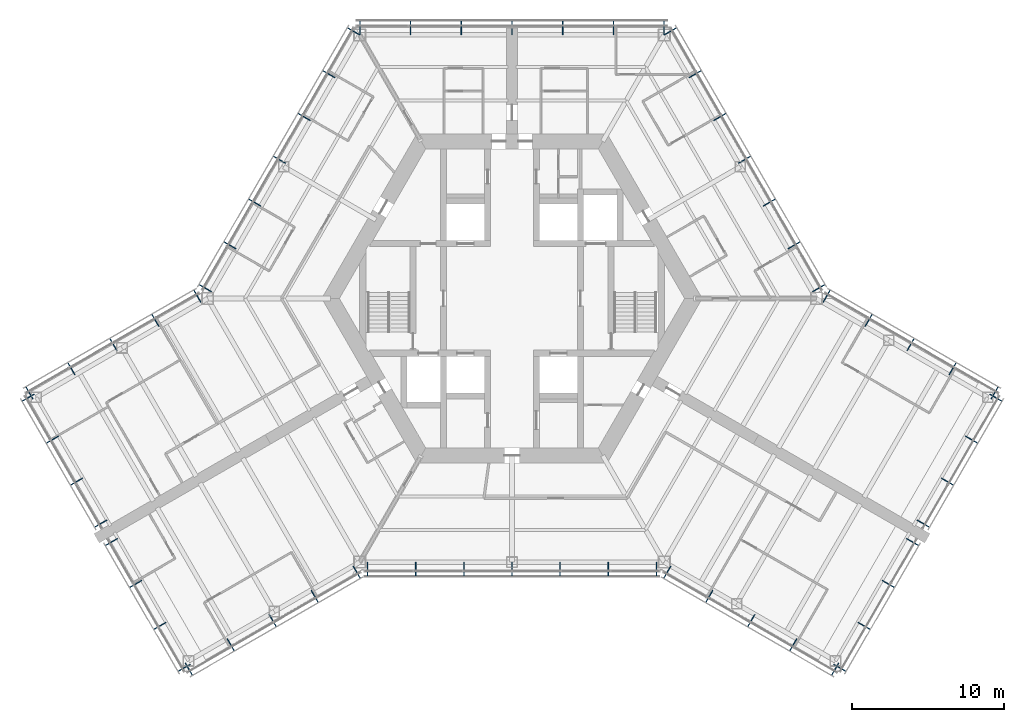
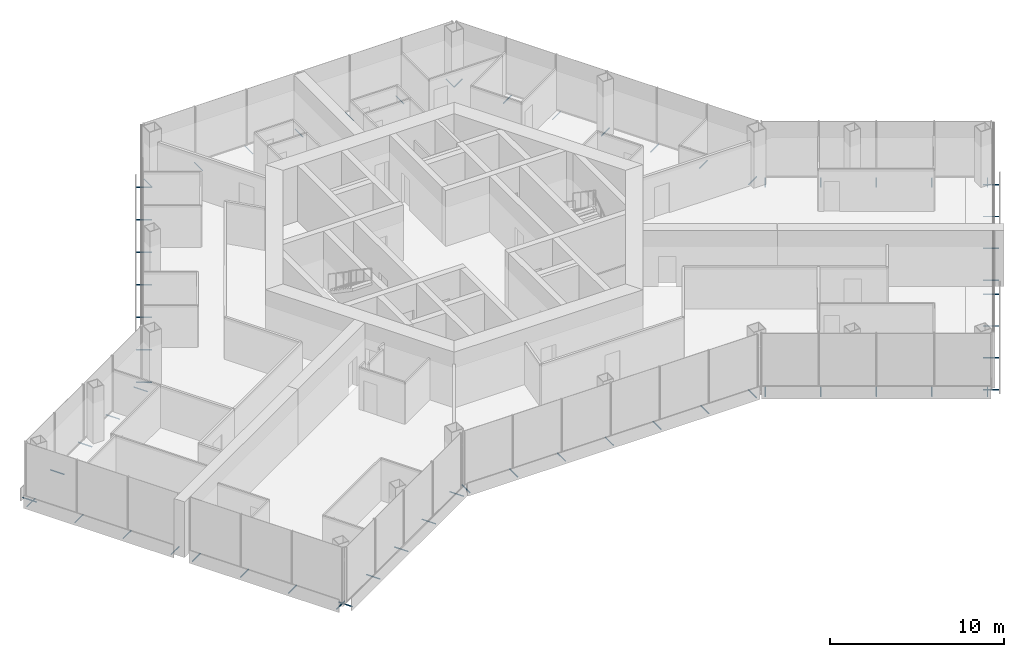
# One storey, part 16 of 18: 64 discrete accessories.
"""IFC4 building model written with IfcOpenShell, lengths in metres."""

import ifcopenshell
import ifcopenshell.guid

model = None  # the IFC model being written
_history = None  # IfcOwnerHistory: only IFC2X3 demands one
_inside = {}  # id of a spatial element -> (the spatial element, [elements in it])
_under = {}  # id of a project, library or spatial element -> (it, [spatial elements below it])
_declared = {}  # id of a project -> (the project, [libraries it declares])
_typed = {}  # id of a type object -> (the type object, [elements of that type])
_made_of = {}  # id of a material, layer set ... -> (it, [elements and type objects made of it])


def new_model(schema):
    """Start an empty IFC model of exactly this schema.

    Asked for "IFC4X3", IfcOpenShell would pick the latest addendum, in which some entities
    have other attributes; the version numbers below select the first issue.
    IFC2X3 requires an IfcOwnerHistory on every rooted entity: one is made here for all.
    """
    global model, _history
    if schema == "IFC4X3":
        model = ifcopenshell.file(schema_version=(4, 3, 0, 0))
    else:
        model = ifcopenshell.file(schema=schema)
    _inside.clear()
    _under.clear()
    _declared.clear()
    _typed.clear()
    _made_of.clear()
    _history = None
    if model.schema == "IFC2X3":
        org = make("IfcOrganization", Name="unknown")
        user = make(
            "IfcPersonAndOrganization",
            ThePerson=make("IfcPerson", FamilyName="unknown"),
            TheOrganization=org,
        )
        app = make(
            "IfcApplication",
            ApplicationDeveloper=org,
            Version="unknown",
            ApplicationFullName="unknown",
            ApplicationIdentifier="unknown",
        )
        _history = make(
            "IfcOwnerHistory",
            OwningUser=user,
            OwningApplication=app,
            ChangeAction="ADDED",
            CreationDate=0,
        )
    return model


def make(cls, **values):
    """One entity of the class cls with the attributes given. An attribute that is None is left unset."""
    return model.create_entity(
        cls, **{name: value for name, value in values.items() if value is not None}
    )


def rooted(cls, **values):
    """An entity with a GlobalId (a new one), such as an element, a storey or a relation."""
    return make(cls, GlobalId=ifcopenshell.guid.new(), OwnerHistory=_history, **values)


def si_unit(unit_type, name, prefix=None):
    """IfcSIUnit, for example si_unit("LENGTHUNIT", "METRE", prefix="MILLI")."""
    return make("IfcSIUnit", UnitType=unit_type, Prefix=prefix, Name=name)


def assignment(units):
    """IfcUnitAssignment: the units of a project."""
    return None if units is None else make("IfcUnitAssignment", Units=units)


def point(xyz):
    """IfcCartesianPoint."""
    return None if xyz is None else make("IfcCartesianPoint", Coordinates=xyz)


def direction(xyz):
    """IfcDirection."""
    return None if xyz is None else make("IfcDirection", DirectionRatios=xyz)


def frame(location, z_axis=None, x_axis=None):
    """IfcAxis2Placement3D, a coordinate frame: its origin and axes. An axis left out is left unset."""
    return make(
        "IfcAxis2Placement3D",
        Location=point(location),
        Axis=direction(z_axis),
        RefDirection=direction(x_axis),
    )


def frame_2d(location, x_axis=None):
    """IfcAxis2Placement2D, a coordinate frame in the plane: its origin and x axis."""
    return make(
        "IfcAxis2Placement2D", Location=point(location), RefDirection=direction(x_axis)
    )


def origin():
    """The frame at (0, 0, 0) with its axes left unset."""
    return frame((0.0, 0.0, 0.0))


def origin_2d():
    """The frame at (0, 0) in the plane with its x axis left unset."""
    return frame_2d((0.0, 0.0))


def place(relative_to, where):
    """IfcLocalPlacement: puts the frame where relative to a parent placement (None: the world)."""
    return make(
        "IfcLocalPlacement", PlacementRelTo=relative_to, RelativePlacement=where
    )


def context(
    kind, dimensions, precision=None, world=None, true_north=None, identifier=None
):
    """IfcGeometricRepresentationContext, for example the 3D "Model" context."""
    return make(
        "IfcGeometricRepresentationContext",
        ContextIdentifier=identifier,
        ContextType=kind,
        CoordinateSpaceDimension=dimensions,
        Precision=precision,
        WorldCoordinateSystem=world,
        TrueNorth=true_north,
    )


def subcontext(parent, identifier, kind, view, scale=None):
    """IfcGeometricRepresentationSubContext, for example "Body" below "Model"."""
    return make(
        "IfcGeometricRepresentationSubContext",
        ContextIdentifier=identifier,
        ContextType=kind,
        ParentContext=parent,
        TargetScale=scale,
        TargetView=view,
    )


def project(units=None, contexts=None):
    """IfcProject with its units and contexts."""
    return rooted(
        "IfcProject",
        Name="project",
        RepresentationContexts=contexts,
        UnitsInContext=assignment(units),
    )


def spatial(cls, under=None, at=None, **own):
    """A site, building, storey or space (cls), placed at a placement, below another one or the project."""
    s = rooted(cls, ObjectPlacement=at, **own)
    if under is not None:
        _under.setdefault(under.id(), (under, []))[1].append(s)
    return s


def profile(cls, at=None, kind="AREA", **sizes):
    """A parametric profile (cls). Its sizes go by their IFC names, for example OverallWidth=200.0."""
    return make(cls, ProfileType=kind, Position=at, **sizes)


def hollow_circle(**sizes):
    """IfcCircleHollowProfileDef."""
    return profile("IfcCircleHollowProfileDef", **sizes)


def extrude(swept, where, along, depth):
    """IfcExtrudedAreaSolid: the profile swept, set in the frame where, extruded along a direction by depth."""
    return make(
        "IfcExtrudedAreaSolid",
        SweptArea=swept,
        Position=where,
        ExtrudedDirection=direction(along),
        Depth=depth,
    )


def shape(context_of_items, identifier, shape_type, items):
    """IfcShapeRepresentation: the items that make up one representation, for example the "Body"."""
    return make(
        "IfcShapeRepresentation",
        ContextOfItems=context_of_items,
        RepresentationIdentifier=identifier,
        RepresentationType=shape_type,
        Items=items,
    )


def material(Name=None, Category=None):
    """IfcMaterial."""
    return make("IfcMaterial", Name=Name, Category=Category)


def material_profile(
    of_material, cross_section, Name=None, Category=None, Priority=None
):
    """IfcMaterialProfile: a cross section and its material."""
    return make(
        "IfcMaterialProfile",
        Name=Name,
        Material=of_material,
        Profile=cross_section,
        Priority=Priority,
        Category=Category,
    )


def profile_set(profiles, Name=None, composite=None):
    """IfcMaterialProfileSet."""
    return make(
        "IfcMaterialProfileSet",
        Name=Name,
        MaterialProfiles=profiles,
        CompositeProfile=composite,
    )


def made_of(thing, what):
    """Note that an element or type object is made of a material, layer set ...; save() writes the relation."""
    if what is not None:
        _made_of.setdefault(what.id(), (what, []))[1].append(thing)
    return thing


def type_object(cls, material=None, **own):
    """A type object (cls), such as IfcWallType, which elements share."""
    return made_of(rooted(cls, **own), material)


def element(
    cls,
    number,
    at=None,
    inside=None,
    cuts=None,
    type_object=None,
    material=None,
    context=None,
    identifier="Body",
    shape_type=None,
    held_by="IfcProductDefinitionShape",
    body=None,
    shapes=None,
    **own,
):
    """One element of the class cls, such as IfcWall. Its Tag is "e" and its number.

    at: its placement. inside: the storey or other place that contains it. cuts: it is an
    opening in that element (IfcRelVoidsElement). A single representation is given by context,
    identifier, shape_type and body (its items); several are given by shapes. held_by: the class
    of the entity that holds the representations. save() writes the other relations.
    """
    e = rooted(cls, Tag="e%d" % number, ObjectPlacement=at, **own)
    if body is not None:
        shapes = [shape(context, identifier, shape_type, body)]
    if shapes is not None:
        e.Representation = make(held_by, Representations=shapes)
    if inside is not None:
        _inside.setdefault(inside.id(), (inside, []))[1].append(e)
    if cuts is not None:
        rooted(
            "IfcRelVoidsElement", RelatingBuildingElement=cuts, RelatedOpeningElement=e
        )
    if type_object is not None:
        _typed.setdefault(type_object.id(), (type_object, []))[1].append(e)
    return made_of(e, material)


def aggregate(whole, parts):
    """IfcRelAggregates: a whole, such as a stair, and the parts it consists of."""
    return rooted("IfcRelAggregates", RelatingObject=whole, RelatedObjects=parts)


def save(model, path):
    """Write the relations noted so far, then the file.

    IfcRelAggregates (storeys below a building ...), IfcRelContainedInSpatialStructure (elements
    in a storey), IfcRelDefinesByType, IfcRelAssociatesMaterial and IfcRelDeclares: one each for
    every whole, place, type object, material and project.
    """
    for whole, parts in _under.values():
        aggregate(whole, parts)
    for where, things in _inside.values():
        rooted(
            "IfcRelContainedInSpatialStructure",
            RelatedElements=things,
            RelatingStructure=where,
        )
    for kind, things in _typed.values():
        rooted("IfcRelDefinesByType", RelatedObjects=things, RelatingType=kind)
    for what, things in _made_of.values():
        rooted("IfcRelAssociatesMaterial", RelatedObjects=things, RelatingMaterial=what)
    for by, libraries in _declared.values():
        rooted("IfcRelDeclares", RelatingContext=by, RelatedDefinitions=libraries)
    model.write(path)


model = new_model("IFC4")

# Units and contexts
model_context = context("Model", 3, precision=1e-05, world=origin(), true_north=direction((0.0, 1.0)))
body_context = subcontext(model_context, "Body", "Model", "MODEL_VIEW")
ifc_project = project(units=[si_unit("LENGTHUNIT", "METRE"), si_unit("AREAUNIT", "SQUARE_METRE"), si_unit("VOLUMEUNIT", "CUBIC_METRE"), si_unit("PLANEANGLEUNIT", "RADIAN"), si_unit("MASSUNIT", "GRAM", prefix="KILO")], contexts=[model_context])

# Site, building, storey
site_placement = place(None, origin())
site = spatial("IfcSite", under=ifc_project, at=site_placement, CompositionType="ELEMENT")
building_placement = place(site_placement, origin())
building = spatial("IfcBuilding", under=site, at=building_placement, Name="Kasaneha Research Tower", CompositionType="ELEMENT")
storey_placement = place(building_placement, frame((0.0, 0.0, 148.699951171875)))
storey = spatial("IfcBuildingStorey", under=building, at=storey_placement, Name="L37", CompositionType="ELEMENT", Elevation=148.699951171875)

# Discrete accessories
ifc_material = material(Name="Steel STK400", Category="steel")
ifc_material_profile = material_profile(ifc_material, hollow_circle(Radius=0.0380859375, WallThickness=0.00390625, at=origin_2d()), Name="CHS-76.3x4.0")
ifc_profile_set = profile_set([ifc_material_profile], Name="Steel STK400")
discrete_accessory_type = type_object("IfcDiscreteAccessoryType", Name="Screen bracket CHS-76.3x4.0", PredefinedType="BRACKET", material=ifc_profile_set)
for number, where, z_axis, x_axis, name in (
    (1, (-9.4892578125, -17.320556640625, -0.300048828125), (0.0, -1.0, 0.0), (1.0, 0.0, 0.0), "Screen bracket 1"),
    (2, (-6.326171875, -17.320556640625, -0.300048828125), (0.0, -1.0, 0.0), (1.0, 0.0, 0.0), "Screen bracket 2"),
    (3, (-3.1630859375, -17.320556640625, -0.300048828125), (0.0, -1.0, 0.0), (1.0, 0.0, 0.0), "Screen bracket 3"),
    (4, (0.0, -17.320556640625, -0.300048828125), (0.0, -1.0, 0.0), (1.0, 0.0, 0.0), "Screen bracket 4"),
    (5, (3.1630859375, -17.320556640625, -0.300048828125), (0.0, -1.0, 0.0), (1.0, 0.0, 0.0), "Screen bracket 5"),
    (6, (6.326171875, -17.320556640625, -0.300048828125), (0.0, -1.0, 0.0), (1.0, 0.0, 0.0), "Screen bracket 6"),
    (7, (9.4892578125, -17.320556640625, -0.300048828125), (0.0, -1.0, 0.0), (1.0, 0.0, 0.0), "Screen bracket 7"),
    (8, (10.4423828125, -17.575927734375, -0.300048828125), (-0.500021113727, -0.866013213425, 0.0), (0.866013213425, -0.500021113727, 0.0), "Screen bracket 1"),
):
    element("IfcDiscreteAccessory", number, at=place(storey_placement, frame(where, z_axis=z_axis, x_axis=x_axis)), inside=storey, type_object=discrete_accessory_type, Name=name, PredefinedType="BRACKET", context=body_context, shape_type="SweptSolid", body=[
        extrude(hollow_circle(Radius=0.0380859375, WallThickness=0.00390625, at=origin_2d()), origin(), (0.0, 0.0, 1.0), 0.919921875),
    ])
discrete_accessory_1_placement = place(storey_placement, frame((13.200439453125, -19.168212890625, -0.300048828125), z_axis=(-0.499906209203, -0.866079547155, 0.0), x_axis=(0.866079547155, -0.499906209203, 0.0)))
element("IfcDiscreteAccessory", 9, at=discrete_accessory_1_placement, inside=storey, type_object=discrete_accessory_type, Name="Screen bracket 2", PredefinedType="BRACKET", context=body_context, shape_type="SweptSolid", body=[
    extrude(hollow_circle(Radius=0.0380859375, WallThickness=0.00390625, at=origin_2d()), origin(), (0.0, 0.0, 1.0), 0.920166015625),
])
discrete_accessory_2_placement = place(storey_placement, frame((15.95849609375, -20.7607421875, -0.300048828125), z_axis=(-0.500021113727, -0.866013213425, 0.0), x_axis=(0.866013213425, -0.500021113727, 0.0)))
element("IfcDiscreteAccessory", 10, at=discrete_accessory_2_placement, inside=storey, type_object=discrete_accessory_type, Name="Screen bracket 3", PredefinedType="BRACKET", context=body_context, shape_type="SweptSolid", body=[
    extrude(hollow_circle(Radius=0.0380859375, WallThickness=0.00390625, at=origin_2d()), origin(), (0.0, 0.0, 1.0), 0.919921875),
])
discrete_accessory_3_placement = place(storey_placement, frame((18.716796875, -22.35302734375, -0.300048828125), z_axis=(-0.500105201737, -0.865964657013, 0.0), x_axis=(0.865964657013, -0.500105201737, 0.0)))
element("IfcDiscreteAccessory", 11, at=discrete_accessory_3_placement, inside=storey, type_object=discrete_accessory_type, Name="Screen bracket 4", PredefinedType="BRACKET", context=body_context, shape_type="SweptSolid", body=[
    extrude(hollow_circle(Radius=0.0380859375, WallThickness=0.00390625, at=origin_2d()), origin(), (0.0, 0.0, 1.0), 0.920166015625),
])
discrete_accessory_4_placement = place(storey_placement, frame((21.474853515625, -23.945556640625, -0.300048828125), z_axis=(-0.500021113727, -0.866013213425, 0.0), x_axis=(0.866013213425, -0.500021113727, 0.0)))
element("IfcDiscreteAccessory", 12, at=discrete_accessory_4_placement, inside=storey, type_object=discrete_accessory_type, Name="Screen bracket 5", PredefinedType="BRACKET", context=body_context, shape_type="SweptSolid", body=[
    extrude(hollow_circle(Radius=0.0380859375, WallThickness=0.00390625, at=origin_2d()), origin(), (0.0, 0.0, 1.0), 0.919921875),
])
discrete_accessory_5_placement = place(storey_placement, frame((21.13330078125, -24.037109375, -0.300048828125), z_axis=(0.866079547155, -0.499906209203, 0.0), x_axis=(0.499906209203, 0.866079547155, 0.0)))
element("IfcDiscreteAccessory", 13, at=discrete_accessory_5_placement, inside=storey, type_object=discrete_accessory_type, Name="Screen bracket 1", PredefinedType="BRACKET", context=body_context, shape_type="SweptSolid", body=[
    extrude(hollow_circle(Radius=0.0380859375, WallThickness=0.00390625, at=origin_2d()), origin(), (0.0, 0.0, 1.0), 0.920166015625),
])
discrete_accessory_6_placement = place(storey_placement, frame((22.72509765625, -21.2802734375, -0.300048828125), z_axis=(0.866013213425, -0.500021113727, 0.0), x_axis=(0.500021113727, 0.866013213425, 0.0)))
element("IfcDiscreteAccessory", 14, at=discrete_accessory_6_placement, inside=storey, type_object=discrete_accessory_type, Name="Screen bracket 2", PredefinedType="BRACKET", context=body_context, shape_type="SweptSolid", body=[
    extrude(hollow_circle(Radius=0.0380859375, WallThickness=0.00390625, at=origin_2d()), origin(), (0.0, 0.0, 1.0), 0.919921875),
])
discrete_accessory_7_placement = place(storey_placement, frame((24.316650390625, -18.5234375, -0.300048828125), z_axis=(0.866079547155, -0.499906209203, 0.0), x_axis=(0.499906209203, 0.866079547155, 0.0)))
element("IfcDiscreteAccessory", 15, at=discrete_accessory_7_placement, inside=storey, type_object=discrete_accessory_type, Name="Screen bracket 3", PredefinedType="BRACKET", context=body_context, shape_type="SweptSolid", body=[
    extrude(hollow_circle(Radius=0.0380859375, WallThickness=0.00390625, at=origin_2d()), origin(), (0.0, 0.0, 1.0), 0.920166015625),
])
for number, where, z_axis, x_axis, name in (
    (16, (25.908447265625, -15.766357421875, -0.300048828125), (0.865898279276, -0.500220121494, 0.0), (0.500220121494, 0.865898279276, 0.0), "Screen bracket 4"),
    (17, (26.6083984375, -14.553955078125, -0.300048828125), (0.866013213425, -0.500021113727, 0.0), (0.500021113727, 0.866013213425, 0.0), "Screen bracket 1"),
):
    element("IfcDiscreteAccessory", number, at=place(storey_placement, frame(where, z_axis=z_axis, x_axis=x_axis)), inside=storey, type_object=discrete_accessory_type, Name=name, PredefinedType="BRACKET", context=body_context, shape_type="SweptSolid", body=[
        extrude(hollow_circle(Radius=0.0380859375, WallThickness=0.00390625, at=origin_2d()), origin(), (0.0, 0.0, 1.0), 0.919921875),
    ])
discrete_accessory_8_placement = place(storey_placement, frame((28.199951171875, -11.797119140625, -0.300048828125), z_axis=(0.866079547155, -0.499906209203, 0.0), x_axis=(0.499906209203, 0.866079547155, 0.0)))
element("IfcDiscreteAccessory", 18, at=discrete_accessory_8_placement, inside=storey, type_object=discrete_accessory_type, Name="Screen bracket 2", PredefinedType="BRACKET", context=body_context, shape_type="SweptSolid", body=[
    extrude(hollow_circle(Radius=0.0380859375, WallThickness=0.00390625, at=origin_2d()), origin(), (0.0, 0.0, 1.0), 0.920166015625),
])
discrete_accessory_9_placement = place(storey_placement, frame((29.791748046875, -9.040283203125, -0.300048828125), z_axis=(0.866013213425, -0.500021113727, 0.0), x_axis=(0.500021113727, 0.866013213425, 0.0)))
element("IfcDiscreteAccessory", 19, at=discrete_accessory_9_placement, inside=storey, type_object=discrete_accessory_type, Name="Screen bracket 3", PredefinedType="BRACKET", context=body_context, shape_type="SweptSolid", body=[
    extrude(hollow_circle(Radius=0.0380859375, WallThickness=0.00390625, at=origin_2d()), origin(), (0.0, 0.0, 1.0), 0.919921875),
])
discrete_accessory_10_placement = place(storey_placement, frame((31.38330078125, -6.283447265625, -0.300048828125), z_axis=(0.866079547155, -0.499906209203, 0.0), x_axis=(0.499906209203, 0.866079547155, 0.0)))
element("IfcDiscreteAccessory", 20, at=discrete_accessory_10_placement, inside=storey, type_object=discrete_accessory_type, Name="Screen bracket 4", PredefinedType="BRACKET", context=body_context, shape_type="SweptSolid", body=[
    extrude(hollow_circle(Radius=0.0380859375, WallThickness=0.00390625, at=origin_2d()), origin(), (0.0, 0.0, 1.0), 0.920166015625),
])
discrete_accessory_11_placement = place(storey_placement, frame((31.474853515625, -6.625, -0.300048828125), z_axis=(0.500021113727, 0.866013213425, 0.0), x_axis=(-0.866013213425, 0.500021113727, 0.0)))
element("IfcDiscreteAccessory", 21, at=discrete_accessory_11_placement, inside=storey, type_object=discrete_accessory_type, Name="Screen bracket 1", PredefinedType="BRACKET", context=body_context, shape_type="SweptSolid", body=[
    extrude(hollow_circle(Radius=0.0380859375, WallThickness=0.00390625, at=origin_2d()), origin(), (0.0, 0.0, 1.0), 0.919921875),
])
discrete_accessory_12_placement = place(storey_placement, frame((28.716796875, -5.03271484375, -0.300048828125), z_axis=(0.499906209203, 0.866079547155, 0.0), x_axis=(-0.866079547155, 0.499906209203, 0.0)))
element("IfcDiscreteAccessory", 22, at=discrete_accessory_12_placement, inside=storey, type_object=discrete_accessory_type, Name="Screen bracket 2", PredefinedType="BRACKET", context=body_context, shape_type="SweptSolid", body=[
    extrude(hollow_circle(Radius=0.0380859375, WallThickness=0.00390625, at=origin_2d()), origin(), (0.0, 0.0, 1.0), 0.920166015625),
])
discrete_accessory_13_placement = place(storey_placement, frame((25.95849609375, -3.440185546875, -0.300048828125), z_axis=(0.500220121494, 0.865898279276, 0.0), x_axis=(-0.865898279276, 0.500220121494, 0.0)))
element("IfcDiscreteAccessory", 23, at=discrete_accessory_13_placement, inside=storey, type_object=discrete_accessory_type, Name="Screen bracket 3", PredefinedType="BRACKET", context=body_context, shape_type="SweptSolid", body=[
    extrude(hollow_circle(Radius=0.0380859375, WallThickness=0.00390625, at=origin_2d()), origin(), (0.0, 0.0, 1.0), 0.919921875),
])
discrete_accessory_14_placement = place(storey_placement, frame((23.200439453125, -1.847900390625, -0.300048828125), z_axis=(0.499906209203, 0.866079547155, 0.0), x_axis=(-0.866079547155, 0.499906209203, 0.0)))
element("IfcDiscreteAccessory", 24, at=discrete_accessory_14_placement, inside=storey, type_object=discrete_accessory_type, Name="Screen bracket 4", PredefinedType="BRACKET", context=body_context, shape_type="SweptSolid", body=[
    extrude(hollow_circle(Radius=0.0380859375, WallThickness=0.00390625, at=origin_2d()), origin(), (0.0, 0.0, 1.0), 0.920166015625),
])
for number, where, z_axis, x_axis, name in (
    (25, (20.4423828125, -0.25537109375, -0.300048828125), (0.500021113727, 0.866013213425, 0.0), (-0.866013213425, 0.500021113727, 0.0), "Screen bracket 5"),
    (26, (19.74462890625, 0.4423828125, -0.300048828125), (0.866013213425, 0.500021113727, 0.0), (-0.500021113727, 0.866013213425, 0.0), "Screen bracket 1"),
    (27, (18.120849609375, 3.2548828125, -0.300048828125), (0.866013213425, 0.500021113727, 0.0), (-0.500021113727, 0.866013213425, 0.0), "Screen bracket 2"),
    (28, (16.4970703125, 6.0673828125, -0.300048828125), (0.866013213425, 0.500021113727, 0.0), (-0.500021113727, 0.866013213425, 0.0), "Screen bracket 3"),
    (29, (14.873291015625, 8.8798828125, -0.300048828125), (0.866013213425, 0.500021113727, 0.0), (-0.500021113727, 0.866013213425, 0.0), "Screen bracket 4"),
    (30, (13.24951171875, 11.6923828125, -0.300048828125), (0.866013213425, 0.500021113727, 0.0), (-0.500021113727, 0.866013213425, 0.0), "Screen bracket 5"),
):
    element("IfcDiscreteAccessory", number, at=place(storey_placement, frame(where, z_axis=z_axis, x_axis=x_axis)), inside=storey, type_object=discrete_accessory_type, Name=name, PredefinedType="BRACKET", context=body_context, shape_type="SweptSolid", body=[
        extrude(hollow_circle(Radius=0.0380859375, WallThickness=0.00390625, at=origin_2d()), origin(), (0.0, 0.0, 1.0), 0.919921875),
    ])
for number, where, z_axis, x_axis, name in (
    (31, (11.62548828125, 14.5048828125, -0.300048828125), (0.866079547155, 0.499906209203, 0.0), (-0.499906209203, 0.866079547155, 0.0), "Screen bracket 6"),
    (32, (10.001708984375, 17.3173828125, -0.300048828125), (0.866079547155, 0.499906209203, 0.0), (-0.499906209203, 0.866079547155, 0.0), "Screen bracket 7"),
):
    element("IfcDiscreteAccessory", number, at=place(storey_placement, frame(where, z_axis=z_axis, x_axis=x_axis)), inside=storey, type_object=discrete_accessory_type, Name=name, PredefinedType="BRACKET", context=body_context, shape_type="SweptSolid", body=[
        extrude(hollow_circle(Radius=0.0380859375, WallThickness=0.00390625, at=origin_2d()), origin(), (0.0, 0.0, 1.0), 0.920166015625),
    ])
for number, where, z_axis, x_axis, name in (
    (33, (9.996337890625, 17.320556640625, -0.300048828125), (0.0, 1.0, 0.0), (-1.0, 0.0, 0.0), "Screen bracket 1"),
    (34, (6.664306640625, 17.320556640625, -0.300048828125), (0.0, 1.0, 0.0), (-1.0, 0.0, 0.0), "Screen bracket 2"),
    (35, (3.33203125, 17.320556640625, -0.300048828125), (0.0, 1.0, 0.0), (-1.0, 0.0, 0.0), "Screen bracket 3"),
    (36, (0.0, 17.320556640625, -0.300048828125), (0.0, 1.0, 0.0), (-1.0, 0.0, 0.0), "Screen bracket 4"),
    (37, (-3.33203125, 17.320556640625, -0.300048828125), (0.0, 1.0, 0.0), (-1.0, 0.0, 0.0), "Screen bracket 5"),
    (38, (-6.664306640625, 17.320556640625, -0.300048828125), (0.0, 1.0, 0.0), (-1.0, 0.0, 0.0), "Screen bracket 6"),
    (39, (-9.996337890625, 17.320556640625, -0.300048828125), (0.0, 1.0, 0.0), (-1.0, 0.0, 0.0), "Screen bracket 7"),
):
    element("IfcDiscreteAccessory", number, at=place(storey_placement, frame(where, z_axis=z_axis, x_axis=x_axis)), inside=storey, type_object=discrete_accessory_type, Name=name, PredefinedType="BRACKET", context=body_context, shape_type="SweptSolid", body=[
        extrude(hollow_circle(Radius=0.0380859375, WallThickness=0.00390625, at=origin_2d()), origin(), (0.0, 0.0, 1.0), 0.919921875),
    ])
for number, where, z_axis, x_axis, name in (
    (40, (-10.001708984375, 17.3173828125, -0.300048828125), (-0.866079547155, 0.499906209203, 0.0), (-0.499906209203, -0.866079547155, 0.0), "Screen bracket 1"),
    (41, (-11.62548828125, 14.5048828125, -0.300048828125), (-0.866079547155, 0.499906209203, 0.0), (-0.499906209203, -0.866079547155, 0.0), "Screen bracket 2"),
):
    element("IfcDiscreteAccessory", number, at=place(storey_placement, frame(where, z_axis=z_axis, x_axis=x_axis)), inside=storey, type_object=discrete_accessory_type, Name=name, PredefinedType="BRACKET", context=body_context, shape_type="SweptSolid", body=[
        extrude(hollow_circle(Radius=0.0380859375, WallThickness=0.00390625, at=origin_2d()), origin(), (0.0, 0.0, 1.0), 0.920166015625),
    ])
for number, where, z_axis, x_axis, name in (
    (42, (-13.24951171875, 11.6923828125, -0.300048828125), (-0.866013213425, 0.500021113727, 0.0), (-0.500021113727, -0.866013213425, 0.0), "Screen bracket 3"),
    (43, (-14.873291015625, 8.8798828125, -0.300048828125), (-0.866013213425, 0.500021113727, 0.0), (-0.500021113727, -0.866013213425, 0.0), "Screen bracket 4"),
    (44, (-16.4970703125, 6.0673828125, -0.300048828125), (-0.866013213425, 0.500021113727, 0.0), (-0.500021113727, -0.866013213425, 0.0), "Screen bracket 5"),
    (45, (-18.120849609375, 3.2548828125, -0.300048828125), (-0.866013213425, 0.500021113727, 0.0), (-0.500021113727, -0.866013213425, 0.0), "Screen bracket 6"),
    (46, (-19.74462890625, 0.4423828125, -0.300048828125), (-0.866013213425, 0.500021113727, 0.0), (-0.500021113727, -0.866013213425, 0.0), "Screen bracket 7"),
    (47, (-20.4423828125, -0.25537109375, -0.300048828125), (-0.500021113727, 0.866013213425, 0.0), (-0.866013213425, -0.500021113727, 0.0), "Screen bracket 1"),
):
    element("IfcDiscreteAccessory", number, at=place(storey_placement, frame(where, z_axis=z_axis, x_axis=x_axis)), inside=storey, type_object=discrete_accessory_type, Name=name, PredefinedType="BRACKET", context=body_context, shape_type="SweptSolid", body=[
        extrude(hollow_circle(Radius=0.0380859375, WallThickness=0.00390625, at=origin_2d()), origin(), (0.0, 0.0, 1.0), 0.919921875),
    ])
discrete_accessory_15_placement = place(storey_placement, frame((-23.200439453125, -1.847900390625, -0.300048828125), z_axis=(-0.499906209203, 0.866079547155, 0.0), x_axis=(-0.866079547155, -0.499906209203, 0.0)))
element("IfcDiscreteAccessory", 48, at=discrete_accessory_15_placement, inside=storey, type_object=discrete_accessory_type, Name="Screen bracket 2", PredefinedType="BRACKET", context=body_context, shape_type="SweptSolid", body=[
    extrude(hollow_circle(Radius=0.0380859375, WallThickness=0.00390625, at=origin_2d()), origin(), (0.0, 0.0, 1.0), 0.920166015625),
])
discrete_accessory_16_placement = place(storey_placement, frame((-25.95849609375, -3.440185546875, -0.300048828125), z_axis=(-0.500220121494, 0.865898279276, 0.0), x_axis=(-0.865898279276, -0.500220121494, 0.0)))
element("IfcDiscreteAccessory", 49, at=discrete_accessory_16_placement, inside=storey, type_object=discrete_accessory_type, Name="Screen bracket 3", PredefinedType="BRACKET", context=body_context, shape_type="SweptSolid", body=[
    extrude(hollow_circle(Radius=0.0380859375, WallThickness=0.00390625, at=origin_2d()), origin(), (0.0, 0.0, 1.0), 0.919921875),
])
discrete_accessory_17_placement = place(storey_placement, frame((-28.716796875, -5.03271484375, -0.300048828125), z_axis=(-0.499906209203, 0.866079547155, 0.0), x_axis=(-0.866079547155, -0.499906209203, 0.0)))
element("IfcDiscreteAccessory", 50, at=discrete_accessory_17_placement, inside=storey, type_object=discrete_accessory_type, Name="Screen bracket 4", PredefinedType="BRACKET", context=body_context, shape_type="SweptSolid", body=[
    extrude(hollow_circle(Radius=0.0380859375, WallThickness=0.00390625, at=origin_2d()), origin(), (0.0, 0.0, 1.0), 0.920166015625),
])
discrete_accessory_18_placement = place(storey_placement, frame((-31.474853515625, -6.625, -0.300048828125), z_axis=(-0.500021113727, 0.866013213425, 0.0), x_axis=(-0.866013213425, -0.500021113727, 0.0)))
element("IfcDiscreteAccessory", 51, at=discrete_accessory_18_placement, inside=storey, type_object=discrete_accessory_type, Name="Screen bracket 5", PredefinedType="BRACKET", context=body_context, shape_type="SweptSolid", body=[
    extrude(hollow_circle(Radius=0.0380859375, WallThickness=0.00390625, at=origin_2d()), origin(), (0.0, 0.0, 1.0), 0.919921875),
])
discrete_accessory_19_placement = place(storey_placement, frame((-31.38330078125, -6.283447265625, -0.300048828125), z_axis=(-0.866079547155, -0.499906209203, 0.0), x_axis=(0.499906209203, -0.866079547155, 0.0)))
element("IfcDiscreteAccessory", 52, at=discrete_accessory_19_placement, inside=storey, type_object=discrete_accessory_type, Name="Screen bracket 1", PredefinedType="BRACKET", context=body_context, shape_type="SweptSolid", body=[
    extrude(hollow_circle(Radius=0.0380859375, WallThickness=0.00390625, at=origin_2d()), origin(), (0.0, 0.0, 1.0), 0.920166015625),
])
discrete_accessory_20_placement = place(storey_placement, frame((-29.791748046875, -9.040283203125, -0.300048828125), z_axis=(-0.866013213425, -0.500021113727, 0.0), x_axis=(0.500021113727, -0.866013213425, 0.0)))
element("IfcDiscreteAccessory", 53, at=discrete_accessory_20_placement, inside=storey, type_object=discrete_accessory_type, Name="Screen bracket 2", PredefinedType="BRACKET", context=body_context, shape_type="SweptSolid", body=[
    extrude(hollow_circle(Radius=0.0380859375, WallThickness=0.00390625, at=origin_2d()), origin(), (0.0, 0.0, 1.0), 0.919921875),
])
discrete_accessory_21_placement = place(storey_placement, frame((-28.199951171875, -11.797119140625, -0.300048828125), z_axis=(-0.866079547155, -0.499906209203, 0.0), x_axis=(0.499906209203, -0.866079547155, 0.0)))
element("IfcDiscreteAccessory", 54, at=discrete_accessory_21_placement, inside=storey, type_object=discrete_accessory_type, Name="Screen bracket 3", PredefinedType="BRACKET", context=body_context, shape_type="SweptSolid", body=[
    extrude(hollow_circle(Radius=0.0380859375, WallThickness=0.00390625, at=origin_2d()), origin(), (0.0, 0.0, 1.0), 0.920166015625),
])
for number, where, z_axis, x_axis, name in (
    (55, (-26.6083984375, -14.553955078125, -0.300048828125), (-0.866013213425, -0.500021113727, 0.0), (0.500021113727, -0.866013213425, 0.0), "Screen bracket 4"),
    (56, (-25.908447265625, -15.766357421875, -0.300048828125), (-0.865898279276, -0.500220121494, 0.0), (0.500220121494, -0.865898279276, 0.0), "Screen bracket 1"),
):
    element("IfcDiscreteAccessory", number, at=place(storey_placement, frame(where, z_axis=z_axis, x_axis=x_axis)), inside=storey, type_object=discrete_accessory_type, Name=name, PredefinedType="BRACKET", context=body_context, shape_type="SweptSolid", body=[
        extrude(hollow_circle(Radius=0.0380859375, WallThickness=0.00390625, at=origin_2d()), origin(), (0.0, 0.0, 1.0), 0.919921875),
    ])
discrete_accessory_22_placement = place(storey_placement, frame((-24.316650390625, -18.5234375, -0.300048828125), z_axis=(-0.866079547155, -0.499906209203, 0.0), x_axis=(0.499906209203, -0.866079547155, 0.0)))
element("IfcDiscreteAccessory", 57, at=discrete_accessory_22_placement, inside=storey, type_object=discrete_accessory_type, Name="Screen bracket 2", PredefinedType="BRACKET", context=body_context, shape_type="SweptSolid", body=[
    extrude(hollow_circle(Radius=0.0380859375, WallThickness=0.00390625, at=origin_2d()), origin(), (0.0, 0.0, 1.0), 0.920166015625),
])
discrete_accessory_23_placement = place(storey_placement, frame((-22.72509765625, -21.2802734375, -0.300048828125), z_axis=(-0.866013213425, -0.500021113727, 0.0), x_axis=(0.500021113727, -0.866013213425, 0.0)))
element("IfcDiscreteAccessory", 58, at=discrete_accessory_23_placement, inside=storey, type_object=discrete_accessory_type, Name="Screen bracket 3", PredefinedType="BRACKET", context=body_context, shape_type="SweptSolid", body=[
    extrude(hollow_circle(Radius=0.0380859375, WallThickness=0.00390625, at=origin_2d()), origin(), (0.0, 0.0, 1.0), 0.919921875),
])
discrete_accessory_24_placement = place(storey_placement, frame((-21.13330078125, -24.037109375, -0.300048828125), z_axis=(-0.866079547155, -0.499906209203, 0.0), x_axis=(0.499906209203, -0.866079547155, 0.0)))
element("IfcDiscreteAccessory", 59, at=discrete_accessory_24_placement, inside=storey, type_object=discrete_accessory_type, Name="Screen bracket 4", PredefinedType="BRACKET", context=body_context, shape_type="SweptSolid", body=[
    extrude(hollow_circle(Radius=0.0380859375, WallThickness=0.00390625, at=origin_2d()), origin(), (0.0, 0.0, 1.0), 0.920166015625),
])
discrete_accessory_25_placement = place(storey_placement, frame((-21.474853515625, -23.945556640625, -0.300048828125), z_axis=(0.500021113727, -0.866013213425, 0.0), x_axis=(0.866013213425, 0.500021113727, 0.0)))
element("IfcDiscreteAccessory", 60, at=discrete_accessory_25_placement, inside=storey, type_object=discrete_accessory_type, Name="Screen bracket 1", PredefinedType="BRACKET", context=body_context, shape_type="SweptSolid", body=[
    extrude(hollow_circle(Radius=0.0380859375, WallThickness=0.00390625, at=origin_2d()), origin(), (0.0, 0.0, 1.0), 0.919921875),
])
discrete_accessory_26_placement = place(storey_placement, frame((-18.716796875, -22.35302734375, -0.300048828125), z_axis=(0.500105201737, -0.865964657013, 0.0), x_axis=(0.865964657013, 0.500105201737, 0.0)))
element("IfcDiscreteAccessory", 61, at=discrete_accessory_26_placement, inside=storey, type_object=discrete_accessory_type, Name="Screen bracket 2", PredefinedType="BRACKET", context=body_context, shape_type="SweptSolid", body=[
    extrude(hollow_circle(Radius=0.0380859375, WallThickness=0.00390625, at=origin_2d()), origin(), (0.0, 0.0, 1.0), 0.920166015625),
])
discrete_accessory_27_placement = place(storey_placement, frame((-15.95849609375, -20.7607421875, -0.300048828125), z_axis=(0.500021113727, -0.866013213425, 0.0), x_axis=(0.866013213425, 0.500021113727, 0.0)))
element("IfcDiscreteAccessory", 62, at=discrete_accessory_27_placement, inside=storey, type_object=discrete_accessory_type, Name="Screen bracket 3", PredefinedType="BRACKET", context=body_context, shape_type="SweptSolid", body=[
    extrude(hollow_circle(Radius=0.0380859375, WallThickness=0.00390625, at=origin_2d()), origin(), (0.0, 0.0, 1.0), 0.919921875),
])
discrete_accessory_28_placement = place(storey_placement, frame((-13.200439453125, -19.168212890625, -0.300048828125), z_axis=(0.499906209203, -0.866079547155, 0.0), x_axis=(0.866079547155, 0.499906209203, 0.0)))
element("IfcDiscreteAccessory", 63, at=discrete_accessory_28_placement, inside=storey, type_object=discrete_accessory_type, Name="Screen bracket 4", PredefinedType="BRACKET", context=body_context, shape_type="SweptSolid", body=[
    extrude(hollow_circle(Radius=0.0380859375, WallThickness=0.00390625, at=origin_2d()), origin(), (0.0, 0.0, 1.0), 0.920166015625),
])
discrete_accessory_29_placement = place(storey_placement, frame((-10.4423828125, -17.575927734375, -0.300048828125), z_axis=(0.500021113727, -0.866013213425, 0.0), x_axis=(0.866013213425, 0.500021113727, 0.0)))
element("IfcDiscreteAccessory", 64, at=discrete_accessory_29_placement, inside=storey, type_object=discrete_accessory_type, Name="Screen bracket 5", PredefinedType="BRACKET", context=body_context, shape_type="SweptSolid", body=[
    extrude(hollow_circle(Radius=0.0380859375, WallThickness=0.00390625, at=origin_2d()), origin(), (0.0, 0.0, 1.0), 0.919921875),
])

save(model, "model.ifc")
